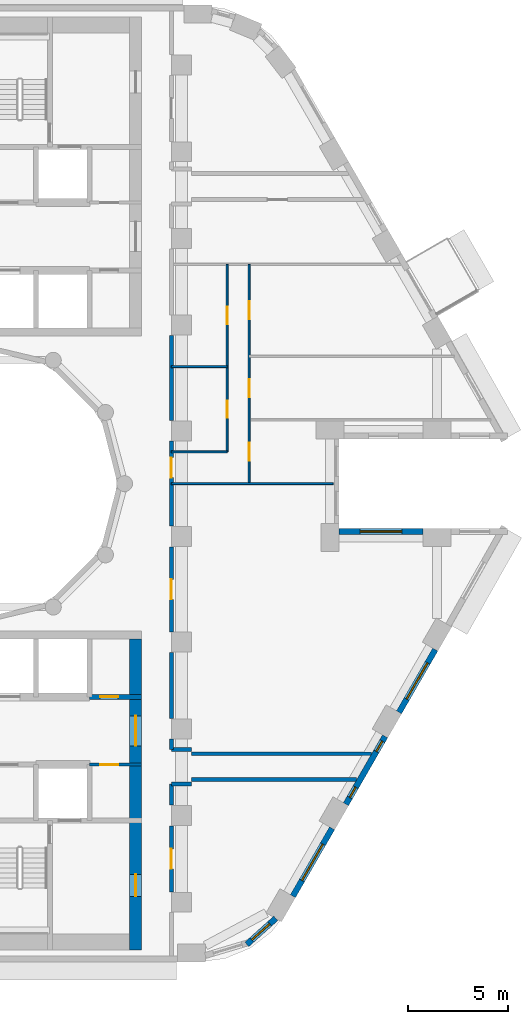
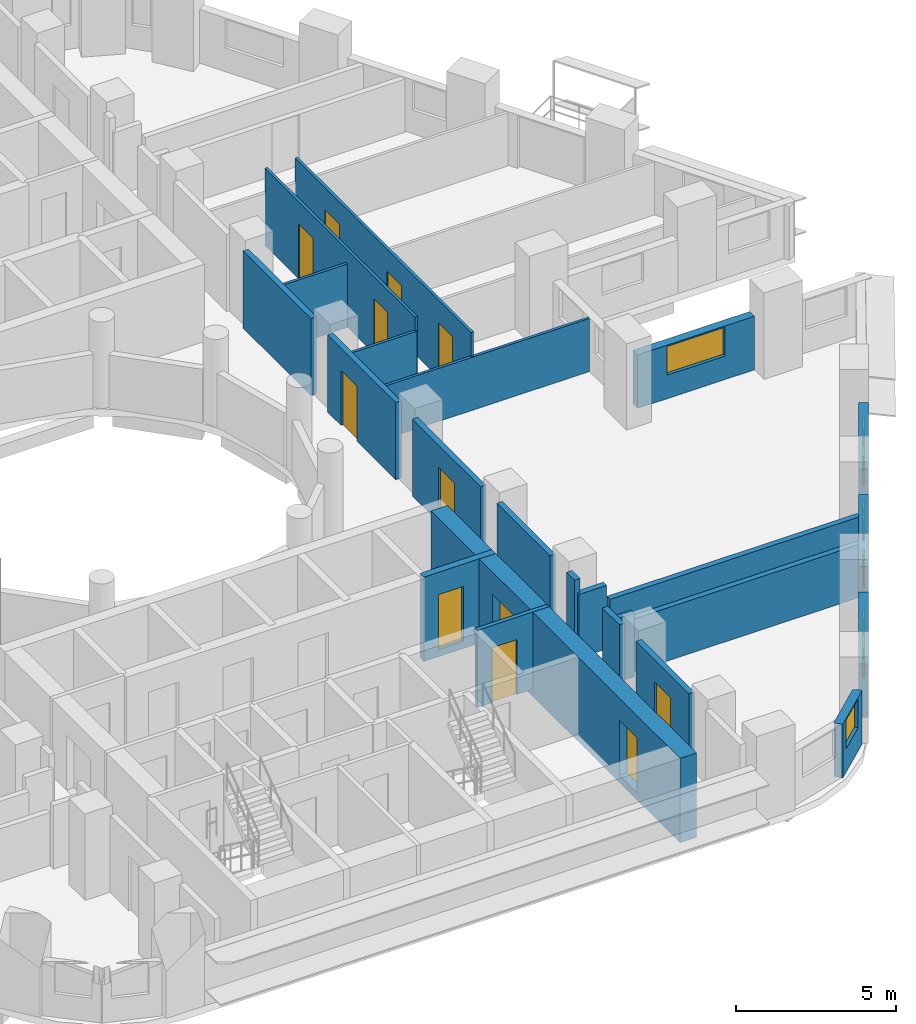
# One storey, part 5 of 14: 24 walls, 12 doors, 6 windows, 18 openings.
"""IFC4 building model written with IfcOpenShell, lengths in metres."""

from ifc_helpers import new_model, si_unit, direction, frame, frame_2d, origin, place, context, subcontext, project, spatial, rectangle, extrude, material, layer, layer_set, type_object, element, fill, save


model = new_model("IFC4")

# Units and contexts
model_context = context("Model", 3, precision=1e-05, world=origin(), true_north=direction((0.0, 1.0)))
body_context = subcontext(model_context, "Body", "Model", "MODEL_VIEW")
ifc_project = project(units=[si_unit("LENGTHUNIT", "METRE"), si_unit("AREAUNIT", "SQUARE_METRE"), si_unit("VOLUMEUNIT", "CUBIC_METRE"), si_unit("PLANEANGLEUNIT", "RADIAN"), si_unit("MASSUNIT", "GRAM", prefix="KILO")], contexts=[model_context])

# Site, building, storey
site_placement = place(None, origin())
site = spatial("IfcSite", under=ifc_project, at=site_placement, CompositionType="ELEMENT")
building_placement = place(site_placement, origin())
building = spatial("IfcBuilding", under=site, at=building_placement, Name="Nakaniwa Court", CompositionType="ELEMENT")
storey_placement = place(building_placement, frame((0.0, 0.0, 117.300048828125)))
storey = spatial("IfcBuildingStorey", under=building, at=storey_placement, Name="L31", CompositionType="ELEMENT", Elevation=117.300048828125)

# Wall, opening, door
ifc_material_1 = material(Name="Acoustic double stud partition")
ifc_layer_1 = layer(ifc_material_1, 0.199951171875)
ifc_layer_set_1 = layer_set([ifc_layer_1], Name="Acoustic double stud partition")
wall_type_1 = type_object("IfcWallType", Name="Acoustic double stud partition 200", PredefinedType="PARTITIONING", material=ifc_layer_set_1)
wall_1_placement = place(storey_placement, frame((89.5, 62.8330078125, 0.0), z_axis=(0.0, 0.0, 1.0), x_axis=(0.0, -1.0, 0.0)))
wall_1 = element("IfcWall", 1, at=wall_1_placement, inside=storey, type_object=wall_type_1, Name="Partition PW-070", PredefinedType="PARTITIONING", context=body_context, shape_type="SweptSolid", body=[
    extrude(rectangle(XDim=3.31591796875, YDim=0.199951171875, at=frame_2d((1.657958984375, 0.0))), origin(), (0.0, 0.0, 1.0), 2.949951171875),
])
opening_1_placement = place(wall_1_placement, frame((1.157958984375, 0.0, 0.0)))
opening_1 = element("IfcOpeningElement", 2, at=opening_1_placement, cuts=wall_1, Name="Opening D-02-01", PredefinedType="OPENING", context=body_context, shape_type="SweptSolid", body=[
    extrude(rectangle(XDim=1.0, YDim=2.10009765625, at=frame_2d((0.5, 1.050048828125))), frame((0.0, 0.10986328125, 0.0), z_axis=(0.0, -1.0, 0.0), x_axis=(1.0, 0.0, 0.0)), (0.0, 0.0, 1.0), 0.219970703125),
])
ifc_material_2 = material(Name="Solid core timber door set, black veneer", Category="wood")
door_type_1 = type_object("IfcDoorType", Name="Internal door 1000", OperationType="NOTDEFINED", PredefinedType="DOOR", material=ifc_material_2)
door_1_placement = place(opening_1_placement, origin())
door_1 = element("IfcDoor", 3, at=door_1_placement, inside=storey, type_object=door_type_1, Name="Door D-02-01 L31-027", OperationType="SINGLE_SWING_RIGHT", OverallHeight=2.10009765625, OverallWidth=1.0, PredefinedType="DOOR", context=body_context, shape_type="SweptSolid", body=[
    extrude(rectangle(XDim=1.0, YDim=2.10009765625, at=frame_2d((0.5, 1.050048828125))), frame((0.0, 0.02490234375, 0.0), z_axis=(0.0, -1.0, 0.0), x_axis=(1.0, 0.0, 0.0)), (0.0, 0.0, 1.0), 0.050048828125),
])
fill(opening_1, door_1)

# Walls
wall_2_placement = place(storey_placement, frame((89.5, 63.866943359375, 0.0), z_axis=(0.0, 0.0, 1.0), x_axis=(0.0, 1.0, 0.0)))
element("IfcWall", 4, at=wall_2_placement, inside=storey, type_object=wall_type_1, Name="Partition PW-071", PredefinedType="PARTITIONING", context=body_context, shape_type="SweptSolid", body=[
    extrude(rectangle(XDim=1.06103515625, YDim=0.199951171875, at=frame_2d((0.530517578125, 0.0))), origin(), (0.0, 0.0, 1.0), 2.949951171875),
])
wall_3_placement = place(storey_placement, frame((89.5, 66.672119140625, 0.0), z_axis=(0.0, 0.0, 1.0), x_axis=(0.0, 1.0, 0.0)))
element("IfcWall", 5, at=wall_3_placement, inside=storey, type_object=wall_type_1, Name="Partition PW-072", PredefinedType="PARTITIONING", context=body_context, shape_type="SweptSolid", body=[
    extrude(rectangle(XDim=0.510986328125, YDim=0.199951171875, at=frame_2d((0.25537109375, 0.0))), origin(), (0.0, 0.0, 1.0), 2.949951171875),
])
wall_4_placement = place(storey_placement, frame((89.5, 68.217041015625, 0.0), z_axis=(0.0, 0.0, 1.0), x_axis=(0.0, 1.0, 0.0)))
element("IfcWall", 6, at=wall_4_placement, inside=storey, type_object=wall_type_1, Name="Partition PW-073", PredefinedType="PARTITIONING", context=body_context, shape_type="SweptSolid", body=[
    extrude(rectangle(XDim=3.31591796875, YDim=0.199951171875, at=frame_2d((1.657958984375, 0.0))), origin(), (0.0, 0.0, 1.0), 2.949951171875),
])

# Wall, opening, door
wall_5_placement = place(storey_placement, frame((89.5, 76.8330078125, 0.0), z_axis=(0.0, 0.0, 1.0), x_axis=(0.0, -1.0, 0.0)))
wall_5 = element("IfcWall", 7, at=wall_5_placement, inside=storey, type_object=wall_type_1, Name="Partition PW-074", PredefinedType="PARTITIONING", context=body_context, shape_type="SweptSolid", body=[
    extrude(rectangle(XDim=4.26611328125, YDim=0.199951171875, at=frame_2d((2.133056640625, 0.0))), origin(), (0.0, 0.0, 1.0), 2.949951171875),
])
opening_2_placement = place(wall_5_placement, frame((1.633056640625, 0.0, 0.0)))
opening_2 = element("IfcOpeningElement", 8, at=opening_2_placement, cuts=wall_5, Name="Opening D-02-02", PredefinedType="OPENING", context=body_context, shape_type="SweptSolid", body=[
    extrude(rectangle(XDim=1.0, YDim=2.10009765625, at=frame_2d((0.5, 1.050048828125))), frame((0.0, 0.10986328125, 0.0), z_axis=(0.0, -1.0, 0.0), x_axis=(1.0, 0.0, 0.0)), (0.0, 0.0, 1.0), 0.219970703125),
])
door_2_placement = place(opening_2_placement, origin())
door_2 = element("IfcDoor", 9, at=door_2_placement, inside=storey, type_object=door_type_1, Name="Door D-02-02 L31-028", OperationType="SINGLE_SWING_LEFT", OverallHeight=2.10009765625, OverallWidth=1.0, PredefinedType="DOOR", context=body_context, shape_type="SweptSolid", body=[
    extrude(rectangle(XDim=1.0, YDim=2.10009765625, at=frame_2d((0.5, 1.050048828125))), frame((0.0, 0.02490234375, 0.0), z_axis=(0.0, -1.0, 0.0), x_axis=(1.0, 0.0, 0.0)), (0.0, 0.0, 1.0), 0.050048828125),
])
fill(opening_2, door_2)

wall_6_placement = place(storey_placement, frame((89.5, 82.133056640625, 0.0), z_axis=(0.0, 0.0, 1.0), x_axis=(0.0, -1.0, 0.0)))
wall_6 = element("IfcWall", 10, at=wall_6_placement, inside=storey, type_object=wall_type_1, Name="Partition PW-075", PredefinedType="PARTITIONING", context=body_context, shape_type="SweptSolid", body=[
    extrude(rectangle(XDim=4.26611328125, YDim=0.199951171875, at=frame_2d((2.133056640625, 0.0))), origin(), (0.0, 0.0, 1.0), 2.949951171875),
])
opening_3_placement = place(wall_6_placement, frame((0.8330078125, 0.0, 0.0)))
opening_3 = element("IfcOpeningElement", 11, at=opening_3_placement, cuts=wall_6, Name="Opening D-01-01", PredefinedType="OPENING", context=body_context, shape_type="SweptSolid", body=[
    extrude(rectangle(XDim=1.0, YDim=2.10009765625, at=frame_2d((0.5, 1.050048828125))), frame((0.0, 0.10986328125, 0.0), z_axis=(0.0, -1.0, 0.0), x_axis=(1.0, 0.0, 0.0)), (0.0, 0.0, 1.0), 0.219970703125),
])
door_type_2 = type_object("IfcDoorType", Name="Flat entrance door 1000", OperationType="NOTDEFINED", PredefinedType="DOOR", material=ifc_material_2)
door_3_placement = place(opening_3_placement, origin())
door_3 = element("IfcDoor", 12, at=door_3_placement, inside=storey, type_object=door_type_2, Name="Door D-01-01 L31-029", OperationType="SINGLE_SWING_RIGHT", OverallHeight=2.10009765625, OverallWidth=1.0, PredefinedType="DOOR", context=body_context, shape_type="SweptSolid", body=[
    extrude(rectangle(XDim=1.0, YDim=2.10009765625, at=frame_2d((0.5, 1.050048828125))), frame((0.0, 0.02490234375, 0.0), z_axis=(0.0, -1.0, 0.0), x_axis=(1.0, 0.0, 0.0)), (0.0, 0.0, 1.0), 0.050048828125),
])
fill(opening_3, door_3)

# Walls
wall_7_placement = place(storey_placement, frame((89.5, 83.1669921875, 0.0), z_axis=(0.0, 0.0, 1.0), x_axis=(0.0, 1.0, 0.0)))
element("IfcWall", 13, at=wall_7_placement, inside=storey, type_object=wall_type_1, Name="Partition PW-076", PredefinedType="PARTITIONING", context=body_context, shape_type="SweptSolid", body=[
    extrude(rectangle(XDim=4.26611328125, YDim=0.199951171875, at=frame_2d((2.133056640625, 0.0))), origin(), (0.0, 0.0, 1.0), 2.949951171875),
])
wall_8_placement = place(storey_placement, frame((90.5, 65.14990234375, 0.0), z_axis=(0.0, 0.0, 1.0), x_axis=(1.0, 0.0, 0.0)))
element("IfcWall", 14, at=wall_8_placement, inside=storey, type_object=wall_type_1, Name="Partition PW-091", PredefinedType="PARTITIONING", context=body_context, shape_type="SweptSolid", body=[
    extrude(rectangle(XDim=8.292724609375, YDim=0.199951171875, at=frame_2d((4.146484375, 0.0))), origin(), (0.0, 0.0, 1.0), 2.030029296875),
])
for number, where, z_axis, x_axis, name in (
    (15, (89.5, 64.925048828125, 0.0), (0.0, 0.0, 1.0), (1.0, 0.0, 0.0), "Partition PW-093"),
    (16, (89.5, 66.675048828125, 0.0), (0.0, 0.0, 1.0), (1.0, 0.0, 0.0), "Partition PW-095"),
):
    element("IfcWall", number, at=place(storey_placement, frame(where, z_axis=z_axis, x_axis=x_axis)), inside=storey, type_object=wall_type_1, Name=name, PredefinedType="PARTITIONING", context=body_context, shape_type="SweptSolid", body=[
        extrude(rectangle(XDim=1.0, YDim=0.199951171875, at=frame_2d((0.5, 0.0))), origin(), (0.0, 0.0, 1.0), 2.429931640625),
    ])
wall_9_placement = place(storey_placement, frame((90.5, 66.449951171875, 0.0), z_axis=(0.0, 0.0, 1.0), x_axis=(1.0, 0.0, 0.0)))
element("IfcWall", 17, at=wall_9_placement, inside=storey, type_object=wall_type_1, Name="Partition PW-097", PredefinedType="PARTITIONING", context=body_context, shape_type="SweptSolid", body=[
    extrude(rectangle(XDim=9.043212890625, YDim=0.199951171875, at=frame_2d((4.521484375, 0.0))), origin(), (0.0, 0.0, 1.0), 2.030029296875),
])

# Wall, opening, window
ifc_material_3 = material(Name="Charcoal ceramic cladding")
ifc_layer_2 = layer(ifc_material_3, 0.02, Name="Ceramic cladding")
ifc_material_4 = material(Name="Ventilated air cavity")
ifc_layer_3 = layer(ifc_material_4, 0.04, ventilated=True, Name="Ventilated cavity")
ifc_material_5 = material(Name="Mineral wool insulation")
ifc_layer_4 = layer(ifc_material_5, 0.1, Name="Insulation")
ifc_material_6 = material(Name="Cement bonded sheathing board")
ifc_layer_5 = layer(ifc_material_6, 0.012, Name="Sheathing")
ifc_material_7 = material(Name="Cold-formed galvanised stud frame with mineral wool infill")
ifc_layer_6 = layer(ifc_material_7, 0.1, Name="Stud frame")
ifc_material_8 = material(Name="Fire-rated gypsum plasterboard lining")
ifc_layer_7 = layer(ifc_material_8, 0.028, Name="Lining")
ifc_layer_set_2 = layer_set([ifc_layer_2, ifc_layer_3, ifc_layer_4, ifc_layer_5, ifc_layer_6, ifc_layer_7], Name="Charcoal ceramic faced external wall system")
wall_type_2 = type_object("IfcWallType", Name="Black ceramic faced external wall 300", PredefinedType="SOLIDWALL", material=ifc_layer_set_2)
wall_10_placement = place(storey_placement, frame((93.283447265625, 56.88671875, 0.0), z_axis=(0.0, 0.0, 1.0), x_axis=(0.743785734967, 0.668418117992, 0.0)))
wall_10 = element("IfcWall", 18, at=wall_10_placement, inside=storey, type_object=wall_type_2, Name="L31 external wall 28", PredefinedType="SOLIDWALL", context=body_context, shape_type="SweptSolid", body=[
    extrude(rectangle(XDim=1.9501953125, YDim=0.300048828125, at=frame_2d((0.97509765625, 0.0))), origin(), (0.0, 0.0, 1.0), 2.050048828125),
])
opening_4_placement = place(wall_10_placement, frame((0.334716796875, 0.0, 0.89990234375)))
opening_4 = element("IfcOpeningElement", 19, at=opening_4_placement, cuts=wall_10, Name="Opening W6.22", PredefinedType="OPENING", context=body_context, shape_type="SweptSolid", body=[
    extrude(rectangle(XDim=1.199951171875, YDim=1.10009765625, at=frame_2d((0.60009765625, 0.550048828125))), frame((0.0, 0.159912109375, 0.0), z_axis=(0.0, -1.0, 0.0), x_axis=(1.0, 0.0, 0.0)), (0.0, 0.0, 1.0), 0.320068359375),
])
ifc_material_9 = material(Name="Black anodised aluminium frame with dark low-E laminated double glazing", Category="aluminium")
window_type_1 = type_object("IfcWindowType", Name="Dark glass window 1200x1100 sill 900", PartitioningType="SINGLE_PANEL", PredefinedType="WINDOW", material=ifc_material_9)
window_1_placement = place(opening_4_placement, origin())
window_1 = element("IfcWindow", 20, at=window_1_placement, inside=storey, type_object=window_type_1, Name="L31 habitable room window 28-0", OverallHeight=1.10009765625, OverallWidth=1.199951171875, PartitioningType="SINGLE_PANEL", PredefinedType="WINDOW", context=body_context, shape_type="SweptSolid", body=[
    extrude(rectangle(XDim=1.199951171875, YDim=1.10009765625, at=frame_2d((0.60009765625, 0.550048828125))), frame((0.0, 0.030029296875, 0.0), z_axis=(0.0, -1.0, 0.0), x_axis=(1.0, 0.0, 0.0)), (0.0, 0.0, 1.0), 0.06005859375),
])
fill(opening_4, window_1)

wall_11_placement = place(storey_placement, frame((95.59033203125, 59.30322265625, 0.0), z_axis=(0.0, 0.0, 1.0), x_axis=(0.500003583557, 0.866023334807, 0.0)))
wall_11 = element("IfcWall", 21, at=wall_11_placement, inside=storey, type_object=wall_type_2, Name="L31 external wall 29", PredefinedType="SOLIDWALL", context=body_context, shape_type="SweptSolid", body=[
    extrude(rectangle(XDim=3.93408203125, YDim=0.300048828125, at=frame_2d((1.967041015625, 0.0))), origin(), (0.0, 0.0, 1.0), 2.050048828125),
])
opening_5_placement = place(wall_11_placement, frame((0.9169921875, 0.0, 0.89990234375)))
opening_5 = element("IfcOpeningElement", 22, at=opening_5_placement, cuts=wall_11, Name="Opening W7.23", PredefinedType="OPENING", context=body_context, shape_type="SweptSolid", body=[
    extrude(rectangle(XDim=2.10009765625, YDim=1.10009765625, at=frame_2d((1.050048828125, 0.550048828125))), frame((0.0, 0.159912109375, 0.0), z_axis=(0.0, -1.0, 0.0), x_axis=(1.0, 0.0, 0.0)), (0.0, 0.0, 1.0), 0.320068359375),
])
window_type_2 = type_object("IfcWindowType", Name="Dark glass window 2100x1100 sill 900", PartitioningType="SINGLE_PANEL", PredefinedType="WINDOW", material=ifc_material_9)
window_2_placement = place(opening_5_placement, origin())
window_2 = element("IfcWindow", 23, at=window_2_placement, inside=storey, type_object=window_type_2, Name="L31 habitable room window 29-0", OverallHeight=1.10009765625, OverallWidth=2.10009765625, PartitioningType="SINGLE_PANEL", PredefinedType="WINDOW", context=body_context, shape_type="SweptSolid", body=[
    extrude(rectangle(XDim=2.10009765625, YDim=1.10009765625, at=frame_2d((1.050048828125, 0.550048828125))), frame((0.0, 0.030029296875, 0.0), z_axis=(0.0, -1.0, 0.0), x_axis=(1.0, 0.0, 0.0)), (0.0, 0.0, 1.0), 0.06005859375),
])
fill(opening_5, window_2)

# Wall, openings, windows
wall_12_placement = place(storey_placement, frame((98.25341796875, 63.91552734375, 0.0), z_axis=(0.0, 0.0, 1.0), x_axis=(0.499957037901, 0.866050206543, 0.0)))
wall_12 = element("IfcWall", 24, at=wall_12_placement, inside=storey, type_object=wall_type_2, Name="L31 external wall 30", PredefinedType="SOLIDWALL", context=body_context, shape_type="SweptSolid", body=[
    extrude(rectangle(XDim=3.933837890625, YDim=0.300048828125, at=frame_2d((1.966796875, 0.0))), origin(), (0.0, 0.0, 1.0), 2.050048828125),
])
opening_6_placement = place(wall_12_placement, frame((0.388671875, 0.0, 0.89990234375)))
opening_6 = element("IfcOpeningElement", 25, at=opening_6_placement, cuts=wall_12, Name="Opening W8.24", PredefinedType="OPENING", context=body_context, shape_type="SweptSolid", body=[
    extrude(rectangle(XDim=0.60009765625, YDim=1.10009765625, at=frame_2d((0.300048828125, 0.550048828125))), frame((0.0, 0.159912109375, 0.0), z_axis=(0.0, -1.0, 0.0), x_axis=(1.0, 0.0, 0.0)), (0.0, 0.0, 1.0), 0.320068359375),
])
opening_7_placement = place(wall_12_placement, frame((3.05615234375, 0.0, 0.89990234375)))
opening_7 = element("IfcOpeningElement", 26, at=opening_7_placement, cuts=wall_12, Name="Opening W8.25", PredefinedType="OPENING", context=body_context, shape_type="SweptSolid", body=[
    extrude(rectangle(XDim=0.60009765625, YDim=1.10009765625, at=frame_2d((0.300048828125, 0.550048828125))), frame((0.0, 0.159912109375, 0.0), z_axis=(0.0, -1.0, 0.0), x_axis=(1.0, 0.0, 0.0)), (0.0, 0.0, 1.0), 0.320068359375),
])
window_type_3 = type_object("IfcWindowType", Name="Dark glass window 600x1100 sill 900", PartitioningType="SINGLE_PANEL", PredefinedType="WINDOW", material=ifc_material_9)
window_3_placement = place(opening_6_placement, origin())
window_3 = element("IfcWindow", 27, at=window_3_placement, inside=storey, type_object=window_type_3, Name="L31 habitable room window 30-0", OverallHeight=1.10009765625, OverallWidth=0.60009765625, PartitioningType="SINGLE_PANEL", PredefinedType="WINDOW", context=body_context, shape_type="SweptSolid", body=[
    extrude(rectangle(XDim=0.60009765625, YDim=1.10009765625, at=frame_2d((0.300048828125, 0.550048828125))), frame((0.0, 0.030029296875, 0.0), z_axis=(0.0, -1.0, 0.0), x_axis=(1.0, 0.0, 0.0)), (0.0, 0.0, 1.0), 0.06005859375),
])
fill(opening_6, window_3)
window_4_placement = place(opening_7_placement, origin())
window_4 = element("IfcWindow", 28, at=window_4_placement, inside=storey, type_object=window_type_3, Name="L31 habitable room window 30-2", OverallHeight=1.10009765625, OverallWidth=0.60009765625, PartitioningType="SINGLE_PANEL", PredefinedType="WINDOW", context=body_context, shape_type="SweptSolid", body=[
    extrude(rectangle(XDim=0.60009765625, YDim=1.10009765625, at=frame_2d((0.300048828125, 0.550048828125))), frame((0.0, 0.030029296875, 0.0), z_axis=(0.0, -1.0, 0.0), x_axis=(1.0, 0.0, 0.0)), (0.0, 0.0, 1.0), 0.06005859375),
])
fill(opening_7, window_4)

# Wall, opening, window
wall_13_placement = place(storey_placement, frame((100.916259765625, 68.528076171875, 0.0), z_axis=(0.0, 0.0, 1.0), x_axis=(0.500009139881, 0.866020126807, 0.0)))
wall_13 = element("IfcWall", 29, at=wall_13_placement, inside=storey, type_object=wall_type_2, Name="L31 external wall 31", PredefinedType="SOLIDWALL", context=body_context, shape_type="SweptSolid", body=[
    extrude(rectangle(XDim=3.63671875, YDim=0.300048828125, at=frame_2d((1.818359375, 0.0))), origin(), (0.0, 0.0, 1.0), 2.050048828125),
])
opening_8_placement = place(wall_13_placement, frame((0.768310546875, 0.0, 0.89990234375)))
opening_8 = element("IfcOpeningElement", 30, at=opening_8_placement, cuts=wall_13, Name="Opening W7.26", PredefinedType="OPENING", context=body_context, shape_type="SweptSolid", body=[
    extrude(rectangle(XDim=2.10009765625, YDim=1.10009765625, at=frame_2d((1.050048828125, 0.550048828125))), frame((0.0, 0.159912109375, 0.0), z_axis=(0.0, -1.0, 0.0), x_axis=(1.0, 0.0, 0.0)), (0.0, 0.0, 1.0), 0.320068359375),
])
window_5_placement = place(opening_8_placement, origin())
window_5 = element("IfcWindow", 31, at=window_5_placement, inside=storey, type_object=window_type_2, Name="L31 habitable room window 31-0", OverallHeight=1.10009765625, OverallWidth=2.10009765625, PartitioningType="SINGLE_PANEL", PredefinedType="WINDOW", context=body_context, shape_type="SweptSolid", body=[
    extrude(rectangle(XDim=2.10009765625, YDim=1.10009765625, at=frame_2d((1.050048828125, 0.550048828125))), frame((0.0, 0.030029296875, 0.0), z_axis=(0.0, -1.0, 0.0), x_axis=(1.0, 0.0, 0.0)), (0.0, 0.0, 1.0), 0.06005859375),
])
fill(opening_8, window_5)

wall_14_placement = place(storey_placement, frame((102.126953125, 77.60009765625, 0.0), z_axis=(0.0, 0.0, 1.0), x_axis=(-1.0, 0.0, 0.0)))
wall_14 = element("IfcWall", 32, at=wall_14_placement, inside=storey, type_object=wall_type_2, Name="L31 external wall 34", PredefinedType="SOLIDWALL", context=body_context, shape_type="SweptSolid", body=[
    extrude(rectangle(XDim=4.22265625, YDim=0.300048828125, at=frame_2d((2.111328125, 0.0))), origin(), (0.0, 0.0, 1.0), 2.050048828125),
])
opening_9_placement = place(wall_14_placement, frame((1.061279296875, 0.0, 0.89990234375)))
opening_9 = element("IfcOpeningElement", 33, at=opening_9_placement, cuts=wall_14, Name="Opening W7.29", PredefinedType="OPENING", context=body_context, shape_type="SweptSolid", body=[
    extrude(rectangle(XDim=2.10009765625, YDim=1.10009765625, at=frame_2d((1.050048828125, 0.550048828125))), frame((0.0, 0.159912109375, 0.0), z_axis=(0.0, -1.0, 0.0), x_axis=(1.0, 0.0, 0.0)), (0.0, 0.0, 1.0), 0.320068359375),
])
window_6_placement = place(opening_9_placement, origin())
window_6 = element("IfcWindow", 34, at=window_6_placement, inside=storey, type_object=window_type_2, Name="L31 habitable room window 34-0", OverallHeight=1.10009765625, OverallWidth=2.10009765625, PartitioningType="SINGLE_PANEL", PredefinedType="WINDOW", context=body_context, shape_type="SweptSolid", body=[
    extrude(rectangle(XDim=2.10009765625, YDim=1.10009765625, at=frame_2d((1.050048828125, 0.550048828125))), frame((0.0, 0.030029296875, 0.0), z_axis=(0.0, -1.0, 0.0), x_axis=(1.0, 0.0, 0.0)), (0.0, 0.0, 1.0), 0.06005859375),
])
fill(opening_9, window_6)

# Wall, opening, door
ifc_material_10 = material(Name="Blockwork partition", Category="masonry")
ifc_layer_8 = layer(ifc_material_10, 0.14990234375)
ifc_layer_set_3 = layer_set([ifc_layer_8], Name="Blockwork partition")
wall_type_3 = type_object("IfcWallType", Name="Blockwork partition 150", PredefinedType="PARTITIONING", material=ifc_layer_set_3)
wall_15_placement = place(storey_placement, frame((88.0, 65.89990234375, 0.0), z_axis=(0.0, 0.0, 1.0), x_axis=(-1.0, 0.0, 0.0)))
wall_15 = element("IfcWall", 35, at=wall_15_placement, inside=storey, type_object=wall_type_3, Name="Partition PW-052", PredefinedType="PARTITIONING", context=body_context, shape_type="SweptSolid", body=[
    extrude(rectangle(XDim=2.60302734375, YDim=0.14990234375, at=frame_2d((1.301513671875, 0.0))), origin(), (0.0, 0.0, 1.0), 2.949951171875),
])
opening_10_placement = place(wall_15_placement, frame((1.175048828125, 0.0, 0.0)))
opening_10 = element("IfcOpeningElement", 36, at=opening_10_placement, cuts=wall_15, Name="Opening D-05-14", PredefinedType="OPENING", context=body_context, shape_type="SweptSolid", body=[
    extrude(rectangle(XDim=0.89990234375, YDim=2.10009765625, at=frame_2d((0.449951171875, 1.050048828125))), frame((0.0, 0.0849609375, 0.0), z_axis=(0.0, -1.0, 0.0), x_axis=(1.0, 0.0, 0.0)), (0.0, 0.0, 1.0), 0.169921875),
])
ifc_material_11 = material(Name="Fire rated steel door set", Category="steel")
door_type_3 = type_object("IfcDoorType", Name="Service room door 900", OperationType="NOTDEFINED", PredefinedType="DOOR", material=ifc_material_11)
door_4_placement = place(opening_10_placement, origin())
door_4 = element("IfcDoor", 37, at=door_4_placement, inside=storey, type_object=door_type_3, Name="Door D-05-14 L31-021", OperationType="SINGLE_SWING_RIGHT", OverallHeight=2.10009765625, OverallWidth=0.89990234375, PredefinedType="DOOR", context=body_context, shape_type="SweptSolid", body=[
    extrude(rectangle(XDim=0.89990234375, YDim=2.10009765625, at=frame_2d((0.449951171875, 1.050048828125))), frame((0.0, 0.02490234375, 0.0), z_axis=(0.0, -1.0, 0.0), x_axis=(1.0, 0.0, 0.0)), (0.0, 0.0, 1.0), 0.050048828125),
])
fill(opening_10, door_4)

# Wall, openings, doors
ifc_material_12 = material(Name="Concrete C80/100", Category="concrete")
ifc_layer_9 = layer(ifc_material_12, 0.60009765625)
ifc_layer_set_4 = layer_set([ifc_layer_9], Name="Concrete C80/100")
wall_type_4 = type_object("IfcWallType", Name="Concrete core side wall 600 C80", PredefinedType="SHEAR", material=ifc_layer_set_4)
wall_16_placement = place(storey_placement, frame((87.699951171875, 72.199951171875, -0.275146484375), z_axis=(0.0, 0.0, 1.0), x_axis=(0.0, -1.0, 0.0)))
wall_16 = element("IfcWall", 38, at=wall_16_placement, inside=storey, type_object=wall_type_4, Name="Core wall SW-49", PredefinedType="SHEAR", context=body_context, shape_type="SweptSolid", body=[
    extrude(rectangle(XDim=15.599853515625, YDim=0.60009765625, at=frame_2d((7.7998046875, 0.0))), origin(), (0.0, 0.0, 1.0), 3.22509765625),
])
opening_11_placement = place(wall_16_placement, frame((3.85009765625, 0.0, 0.27490234375)))
opening_11 = element("IfcOpeningElement", 39, at=opening_11_placement, cuts=wall_16, Name="Opening D-07-03", PredefinedType="OPENING", context=body_context, shape_type="SweptSolid", body=[
    extrude(rectangle(XDim=1.5, YDim=2.10009765625, at=frame_2d((0.75, 1.050048828125))), frame((0.0, 0.31005859375, 0.0), z_axis=(0.0, -1.0, 0.0), x_axis=(1.0, 0.0, 0.0)), (0.0, 0.0, 1.0), 0.6201171875),
])
opening_12_placement = place(wall_16_placement, frame((11.800048828125, 0.0, 0.27490234375)))
opening_12 = element("IfcOpeningElement", 40, at=opening_12_placement, cuts=wall_16, Name="Opening D-10-02", PredefinedType="OPENING", context=body_context, shape_type="SweptSolid", body=[
    extrude(rectangle(XDim=1.10009765625, YDim=2.10009765625, at=frame_2d((0.550048828125, 1.050048828125))), frame((0.0, 0.31005859375, 0.0), z_axis=(0.0, -1.0, 0.0), x_axis=(1.0, 0.0, 0.0)), (0.0, 0.0, 1.0), 0.6201171875),
])
door_type_4 = type_object("IfcDoorType", Name="Firefighting lobby door 1100", OperationType="NOTDEFINED", PredefinedType="DOOR", material=ifc_material_11)
door_5_placement = place(opening_12_placement, origin())
door_5 = element("IfcDoor", 41, at=door_5_placement, inside=storey, type_object=door_type_4, Name="Door D-10-02 L31-052", OperationType="SINGLE_SWING_LEFT", OverallHeight=2.10009765625, OverallWidth=1.10009765625, PredefinedType="DOOR", context=body_context, shape_type="SweptSolid", body=[
    extrude(rectangle(XDim=1.10009765625, YDim=2.10009765625, at=frame_2d((0.550048828125, 1.050048828125))), frame((0.0, 0.02490234375, 0.0), z_axis=(0.0, -1.0, 0.0), x_axis=(1.0, 0.0, 0.0)), (0.0, 0.0, 1.0), 0.050048828125),
])
fill(opening_12, door_5)
ifc_material_13 = material(Name="Glazed fire rated steel double door set", Category="steel")
door_type_5 = type_object("IfcDoorType", Name="Lobby double door 1500", OperationType="NOTDEFINED", PredefinedType="DOOR", material=ifc_material_13)
door_6_placement = place(opening_11_placement, origin())
door_6 = element("IfcDoor", 42, at=door_6_placement, inside=storey, type_object=door_type_5, Name="Door D-07-03 L31-050", OperationType="DOUBLE_DOOR_SINGLE_SWING", OverallHeight=2.10009765625, OverallWidth=1.5, PredefinedType="DOOR", context=body_context, shape_type="SweptSolid", body=[
    extrude(rectangle(XDim=1.5, YDim=2.10009765625, at=frame_2d((0.75, 1.050048828125))), frame((0.0, 0.02490234375, 0.0), z_axis=(0.0, -1.0, 0.0), x_axis=(1.0, 0.0, 0.0)), (0.0, 0.0, 1.0), 0.050048828125),
])
fill(opening_11, door_6)

# Wall, opening, door
ifc_layer_10 = layer(ifc_material_12, 0.25)
ifc_layer_set_5 = layer_set([ifc_layer_10], Name="Concrete C80/100")
wall_type_5 = type_object("IfcWallType", Name="Concrete shaft wall 250 C80", PredefinedType="SHEAR", material=ifc_layer_set_5)
wall_17_placement = place(storey_placement, frame((85.39990234375, 69.300048828125, -0.275146484375), z_axis=(0.0, 0.0, 1.0), x_axis=(1.0, 0.0, 0.0)))
wall_17 = element("IfcWall", 43, at=wall_17_placement, inside=storey, type_object=wall_type_5, Name="Core wall SW-48", PredefinedType="SHEAR", context=body_context, shape_type="SweptSolid", body=[
    extrude(rectangle(XDim=2.60009765625, YDim=0.25, at=frame_2d((1.300048828125, 0.0))), origin(), (0.0, 0.0, 1.0), 3.22509765625),
])
opening_13_placement = place(wall_17_placement, frame((0.52490234375, 0.0, 0.27490234375)))
opening_13 = element("IfcOpeningElement", 44, at=opening_13_placement, cuts=wall_17, Name="Opening D-05-10", PredefinedType="OPENING", context=body_context, shape_type="SweptSolid", body=[
    extrude(rectangle(XDim=0.89990234375, YDim=2.10009765625, at=frame_2d((0.449951171875, 1.050048828125))), frame((0.0, 0.135009765625, 0.0), z_axis=(0.0, -1.0, 0.0), x_axis=(1.0, 0.0, 0.0)), (0.0, 0.0, 1.0), 0.27001953125),
])
door_7_placement = place(opening_13_placement, origin())
door_7 = element("IfcDoor", 45, at=door_7_placement, inside=storey, type_object=door_type_3, Name="Door D-05-10 L31-015", OperationType="SINGLE_SWING_RIGHT", OverallHeight=2.10009765625, OverallWidth=0.89990234375, PredefinedType="DOOR", context=body_context, shape_type="SweptSolid", body=[
    extrude(rectangle(XDim=0.89990234375, YDim=2.10009765625, at=frame_2d((0.449951171875, 1.050048828125))), frame((0.0, 0.02490234375, 0.0), z_axis=(0.0, -1.0, 0.0), x_axis=(1.0, 0.0, 0.0)), (0.0, 0.0, 1.0), 0.050048828125),
])
fill(opening_13, door_7)

# Walls
ifc_material_14 = material(Name="Single stud plasterboard partition")
ifc_layer_11 = layer(ifc_material_14, 0.10009765625)
ifc_layer_set_6 = layer_set([ifc_layer_11], Name="Single stud plasterboard partition")
wall_type_6 = type_object("IfcWallType", Name="Single stud plasterboard partition 100", PredefinedType="PARTITIONING", material=ifc_layer_set_6)
wall_18_placement = place(storey_placement, frame((89.5, 80.0, 0.0), z_axis=(0.0, 0.0, 1.0), x_axis=(1.0, 0.0, 0.0)))
element("IfcWall", 46, at=wall_18_placement, inside=storey, type_object=wall_type_6, Name="Partition PW-111", PredefinedType="PARTITIONING", context=body_context, shape_type="SweptSolid", body=[
    extrude(rectangle(XDim=8.1083984375, YDim=0.10009765625, at=frame_2d((4.05419921875, 0.0))), origin(), (0.0, 0.0, 1.0), 2.030029296875),
])
for number, where, z_axis, x_axis, name in (
    (47, (89.5, 85.873046875, 0.0), (0.0, 0.0, 1.0), (1.0, 0.0, 0.0), "Partition PW-112"),
    (48, (89.5, 81.60009765625, 0.0), (0.0, 0.0, 1.0), (1.0, 0.0, 0.0), "Partition PW-113"),
):
    element("IfcWall", number, at=place(storey_placement, frame(where, z_axis=z_axis, x_axis=x_axis)), inside=storey, type_object=wall_type_6, Name=name, PredefinedType="PARTITIONING", context=body_context, shape_type="SweptSolid", body=[
        extrude(rectangle(XDim=2.800048828125, YDim=0.10009765625, at=frame_2d((1.39990234375, 0.0))), origin(), (0.0, 0.0, 1.0), 2.429931640625),
    ])

# Wall, openings, doors
wall_19_placement = place(storey_placement, frame((92.300048828125, 81.60009765625, 0.0), z_axis=(0.0, 0.0, 1.0), x_axis=(0.0, 1.0, 0.0)))
wall_19 = element("IfcWall", 49, at=wall_19_placement, inside=storey, type_object=wall_type_6, Name="Partition PW-114", PredefinedType="PARTITIONING", context=body_context, shape_type="SweptSolid", body=[
    extrude(rectangle(XDim=9.39990234375, YDim=0.10009765625, at=frame_2d((4.699951171875, 0.0))), origin(), (0.0, 0.0, 1.0), 2.949951171875),
])
opening_14_placement = place(wall_19_placement, frame((1.7109375, 0.0, 0.0)))
opening_14 = element("IfcOpeningElement", 50, at=opening_14_placement, cuts=wall_19, Name="Opening D-03-01", PredefinedType="OPENING", context=body_context, shape_type="SweptSolid", body=[
    extrude(rectangle(XDim=0.85009765625, YDim=2.10009765625, at=frame_2d((0.425048828125, 1.050048828125))), frame((0.0, 0.06005859375, 0.0), z_axis=(0.0, -1.0, 0.0), x_axis=(1.0, 0.0, 0.0)), (0.0, 0.0, 1.0), 0.1201171875),
])
opening_15_placement = place(wall_19_placement, frame((6.385986328125, 0.0, 0.0)))
opening_15 = element("IfcOpeningElement", 51, at=opening_15_placement, cuts=wall_19, Name="Opening D-33-01", PredefinedType="OPENING", context=body_context, shape_type="SweptSolid", body=[
    extrude(rectangle(XDim=0.89990234375, YDim=2.10009765625, at=frame_2d((0.449951171875, 1.050048828125))), frame((0.0, 0.06005859375, 0.0), z_axis=(0.0, -1.0, 0.0), x_axis=(1.0, 0.0, 0.0)), (0.0, 0.0, 1.0), 0.1201171875),
])
ifc_material_15 = material(Name="Moisture sealed timber door set", Category="wood")
door_type_6 = type_object("IfcDoorType", Name="Bathroom door 850", OperationType="NOTDEFINED", PredefinedType="DOOR", material=ifc_material_15)
door_8_placement = place(opening_14_placement, origin())
door_8 = element("IfcDoor", 52, at=door_8_placement, inside=storey, type_object=door_type_6, Name="Door D-03-01 L31-030", OperationType="SINGLE_SWING_LEFT", OverallHeight=2.10009765625, OverallWidth=0.85009765625, PredefinedType="DOOR", context=body_context, shape_type="SweptSolid", body=[
    extrude(rectangle(XDim=0.85009765625, YDim=2.10009765625, at=frame_2d((0.425048828125, 1.050048828125))), frame((0.0, 0.02490234375, 0.0), z_axis=(0.0, -1.0, 0.0), x_axis=(1.0, 0.0, 0.0)), (0.0, 0.0, 1.0), 0.050048828125),
])
fill(opening_14, door_8)
door_type_7 = type_object("IfcDoorType", Name="Internal door 900", OperationType="NOTDEFINED", PredefinedType="DOOR", material=ifc_material_2)
door_9_placement = place(opening_15_placement, origin())
door_9 = element("IfcDoor", 53, at=door_9_placement, inside=storey, type_object=door_type_7, Name="Door D-33-01 L31-031", OperationType="SINGLE_SWING_RIGHT", OverallHeight=2.10009765625, OverallWidth=0.89990234375, PredefinedType="DOOR", context=body_context, shape_type="SweptSolid", body=[
    extrude(rectangle(XDim=0.89990234375, YDim=2.10009765625, at=frame_2d((0.449951171875, 1.050048828125))), frame((0.0, 0.02490234375, 0.0), z_axis=(0.0, -1.0, 0.0), x_axis=(1.0, 0.0, 0.0)), (0.0, 0.0, 1.0), 0.050048828125),
])
fill(opening_15, door_9)

wall_20_placement = place(storey_placement, frame((93.39990234375, 91.0, 0.0), z_axis=(0.0, 0.0, 1.0), x_axis=(0.0, -1.0, 0.0)))
wall_20 = element("IfcWall", 54, at=wall_20_placement, inside=storey, type_object=wall_type_6, Name="Partition PW-116", PredefinedType="PARTITIONING", context=body_context, shape_type="SweptSolid", body=[
    extrude(rectangle(XDim=11.0, YDim=0.10009765625, at=frame_2d((5.5, 0.0))), origin(), (0.0, 0.0, 1.0), 2.949951171875),
])
opening_16_placement = place(wall_20_placement, frame((8.952880859375, 0.0, 0.0)))
opening_16 = element("IfcOpeningElement", 55, at=opening_16_placement, cuts=wall_20, Name="Opening D-33-02", PredefinedType="OPENING", context=body_context, shape_type="SweptSolid", body=[
    extrude(rectangle(XDim=0.89990234375, YDim=2.10009765625, at=frame_2d((0.449951171875, 1.050048828125))), frame((0.0, 0.06005859375, 0.0), z_axis=(0.0, -1.0, 0.0), x_axis=(1.0, 0.0, 0.0)), (0.0, 0.0, 1.0), 0.1201171875),
])
opening_17_placement = place(wall_20_placement, frame((5.760009765625, 0.0, 0.0)))
opening_17 = element("IfcOpeningElement", 56, at=opening_17_placement, cuts=wall_20, Name="Opening D-33-03", PredefinedType="OPENING", context=body_context, shape_type="SweptSolid", body=[
    extrude(rectangle(XDim=0.89990234375, YDim=2.10009765625, at=frame_2d((0.449951171875, 1.050048828125))), frame((0.0, 0.06005859375, 0.0), z_axis=(0.0, -1.0, 0.0), x_axis=(1.0, 0.0, 0.0)), (0.0, 0.0, 1.0), 0.1201171875),
])
opening_18_placement = place(wall_20_placement, frame((1.85595703125, 0.0, 0.0)))
opening_18 = element("IfcOpeningElement", 57, at=opening_18_placement, cuts=wall_20, Name="Opening D-33-04", PredefinedType="OPENING", context=body_context, shape_type="SweptSolid", body=[
    extrude(rectangle(XDim=0.89990234375, YDim=2.10009765625, at=frame_2d((0.449951171875, 1.050048828125))), frame((0.0, 0.06005859375, 0.0), z_axis=(0.0, -1.0, 0.0), x_axis=(1.0, 0.0, 0.0)), (0.0, 0.0, 1.0), 0.1201171875),
])
door_10_placement = place(opening_16_placement, origin())
door_10 = element("IfcDoor", 58, at=door_10_placement, inside=storey, type_object=door_type_7, Name="Door D-33-02 L31-032", OperationType="SINGLE_SWING_LEFT", OverallHeight=2.10009765625, OverallWidth=0.89990234375, PredefinedType="DOOR", context=body_context, shape_type="SweptSolid", body=[
    extrude(rectangle(XDim=0.89990234375, YDim=2.10009765625, at=frame_2d((0.449951171875, 1.050048828125))), frame((0.0, 0.02490234375, 0.0), z_axis=(0.0, -1.0, 0.0), x_axis=(1.0, 0.0, 0.0)), (0.0, 0.0, 1.0), 0.050048828125),
])
fill(opening_16, door_10)
door_11_placement = place(opening_17_placement, origin())
door_11 = element("IfcDoor", 59, at=door_11_placement, inside=storey, type_object=door_type_7, Name="Door D-33-03 L31-033", OperationType="SINGLE_SWING_RIGHT", OverallHeight=2.10009765625, OverallWidth=0.89990234375, PredefinedType="DOOR", context=body_context, shape_type="SweptSolid", body=[
    extrude(rectangle(XDim=0.89990234375, YDim=2.10009765625, at=frame_2d((0.449951171875, 1.050048828125))), frame((0.0, 0.02490234375, 0.0), z_axis=(0.0, -1.0, 0.0), x_axis=(1.0, 0.0, 0.0)), (0.0, 0.0, 1.0), 0.050048828125),
])
fill(opening_17, door_11)
door_12_placement = place(opening_18_placement, origin())
door_12 = element("IfcDoor", 60, at=door_12_placement, inside=storey, type_object=door_type_7, Name="Door D-33-04 L31-034", OperationType="SINGLE_SWING_LEFT", OverallHeight=2.10009765625, OverallWidth=0.89990234375, PredefinedType="DOOR", context=body_context, shape_type="SweptSolid", body=[
    extrude(rectangle(XDim=0.89990234375, YDim=2.10009765625, at=frame_2d((0.449951171875, 1.050048828125))), frame((0.0, 0.02490234375, 0.0), z_axis=(0.0, -1.0, 0.0), x_axis=(1.0, 0.0, 0.0)), (0.0, 0.0, 1.0), 0.050048828125),
])
fill(opening_18, door_12)

save(model, "model.ifc")
